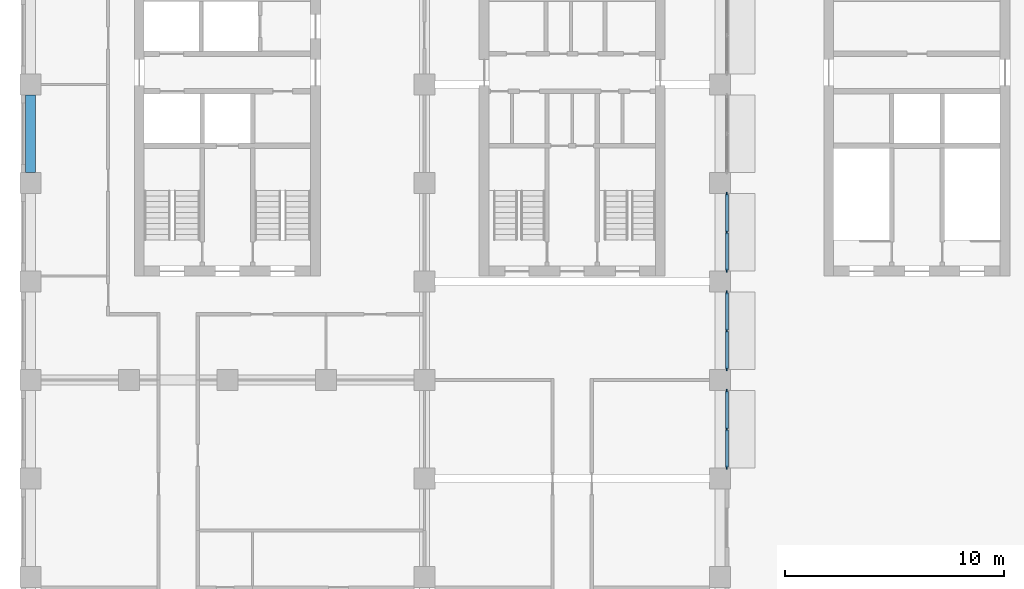
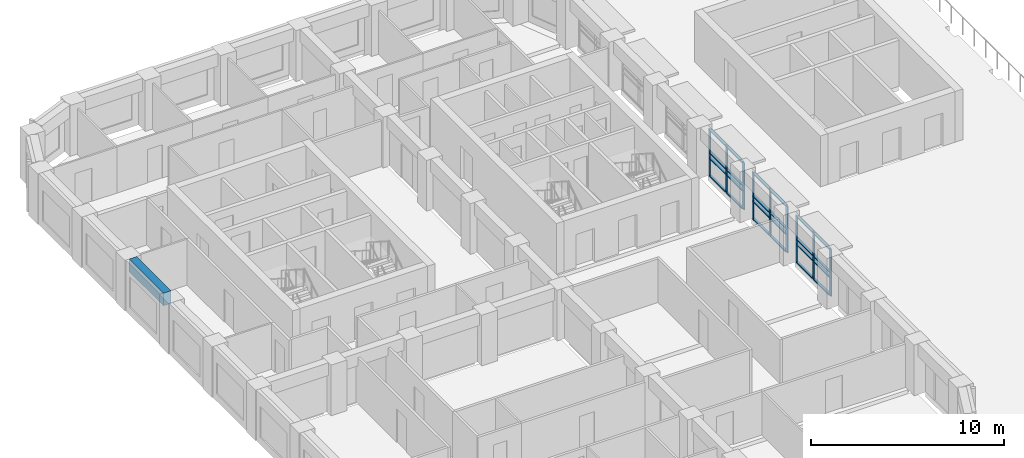
# One storey, part 2 of 15: 33 members, 1 beam, 3 elements without a shape of their own.
"""IFC4 building model written with IfcOpenShell, lengths in metres."""

from ifc_helpers import new_model, si_unit, direction, frame, origin, origin_2d, place, context, subcontext, project, spatial, rectangle, extrude, material, material_profile, profile_set, type_object, element, aggregate, save


model = new_model("IFC4")

# Units and contexts
model_context = context("Model", 3, precision=1e-05, world=origin(), true_north=direction((0.0, 1.0)))
body_context = subcontext(model_context, "Body", "Model", "MODEL_VIEW")
ifc_project = project(units=[si_unit("LENGTHUNIT", "METRE"), si_unit("AREAUNIT", "SQUARE_METRE"), si_unit("VOLUMEUNIT", "CUBIC_METRE"), si_unit("PLANEANGLEUNIT", "RADIAN"), si_unit("MASSUNIT", "GRAM", prefix="KILO")], contexts=[model_context])

# Site, building, storey
site_placement = place(None, origin())
site = spatial("IfcSite", under=ifc_project, at=site_placement, CompositionType="ELEMENT")
building_placement = place(site_placement, origin())
building = spatial("IfcBuilding", under=site, at=building_placement, Name="Girih Gate Residences", CompositionType="ELEMENT")
storey_placement = place(building_placement, frame((0.0, 0.0, 176.300048828125)))
storey = spatial("IfcBuildingStorey", under=building, at=storey_placement, Name="L48", CompositionType="ELEMENT", Elevation=176.300048828125)

# Curtain wall, members
ifc_material_1 = material(Name="Aluminium curtain wall frame", Category="aluminium")
curtain_wall_type = type_object("IfcCurtainWallType", Name="Curtain wall CW-3 sky lounge glazing", PredefinedType="NOTDEFINED", material=ifc_material_1)
curtain_wall_1_placement = place(storey_placement, origin())
curtain_wall_1 = element("IfcCurtainWall", 1, at=curtain_wall_1_placement, inside=storey, type_object=curtain_wall_type, Name="CW-3 Sky lounge glazing E0315_0045.3", PredefinedType="NOTDEFINED")
ifc_material_profile_1 = material_profile(ifc_material_1, rectangle(XDim=0.06005859375, YDim=0.179931640625, at=origin_2d()))
ifc_profile_set_1 = profile_set([ifc_material_profile_1], Name="Aluminium curtain wall frame")
member_type_1 = type_object("IfcMemberType", Name="Curtain wall mullion 60x180", PredefinedType="MULLION", material=ifc_profile_set_1)
member_1_placement = place(storey_placement, frame((31.81494140625, 18.5048828125, 0.0), z_axis=(0.0, 0.0, 1.0), x_axis=(-1.0, 0.0, 0.0)))
member_1 = element("IfcMember", 2, at=member_1_placement, type_object=member_type_1, Name="CW-3 mullion 1", PredefinedType="MULLION", context=body_context, shape_type="SweptSolid", body=[
    extrude(rectangle(XDim=0.06005859375, YDim=0.179931640625, at=origin_2d()), origin(), (0.0, 0.0, 1.0), 2.949951171875),
])
member_2_placement = place(storey_placement, frame((31.81494140625, 20.25, 0.0), z_axis=(0.0, 0.0, 1.0), x_axis=(-1.0, 0.0, 0.0)))
member_2 = element("IfcMember", 3, at=member_2_placement, type_object=member_type_1, Name="CW-3 mullion 2", PredefinedType="MULLION", context=body_context, shape_type="SweptSolid", body=[
    extrude(rectangle(XDim=0.06005859375, YDim=0.179931640625, at=origin_2d()), origin(), (0.0, 0.0, 1.0), 2.949951171875),
])
member_3_placement = place(storey_placement, frame((31.81494140625, 21.9951171875, 0.0), z_axis=(0.0, 0.0, 1.0), x_axis=(-1.0, 0.0, 0.0)))
member_3 = element("IfcMember", 4, at=member_3_placement, type_object=member_type_1, Name="CW-3 mullion 3", PredefinedType="MULLION", context=body_context, shape_type="SweptSolid", body=[
    extrude(rectangle(XDim=0.06005859375, YDim=0.179931640625, at=origin_2d()), origin(), (0.0, 0.0, 1.0), 2.949951171875),
])

curtain_wall_2_placement = place(storey_placement, origin())
curtain_wall_2 = element("IfcCurtainWall", 5, at=curtain_wall_2_placement, inside=storey, type_object=curtain_wall_type, Name="CW-3 Sky lounge glazing E0315_0045.4", PredefinedType="NOTDEFINED")
member_4_placement = place(storey_placement, frame((31.81494140625, 23.0048828125, 0.0), z_axis=(0.0, 0.0, 1.0), x_axis=(-1.0, 0.0, 0.0)))
member_4 = element("IfcMember", 6, at=member_4_placement, type_object=member_type_1, Name="CW-3 mullion 1", PredefinedType="MULLION", context=body_context, shape_type="SweptSolid", body=[
    extrude(rectangle(XDim=0.06005859375, YDim=0.179931640625, at=origin_2d()), origin(), (0.0, 0.0, 1.0), 2.949951171875),
])
member_5_placement = place(storey_placement, frame((31.81494140625, 24.75, 0.0), z_axis=(0.0, 0.0, 1.0), x_axis=(-1.0, 0.0, 0.0)))
member_5 = element("IfcMember", 7, at=member_5_placement, type_object=member_type_1, Name="CW-3 mullion 2", PredefinedType="MULLION", context=body_context, shape_type="SweptSolid", body=[
    extrude(rectangle(XDim=0.06005859375, YDim=0.179931640625, at=origin_2d()), origin(), (0.0, 0.0, 1.0), 2.949951171875),
])
member_6_placement = place(storey_placement, frame((31.81494140625, 26.4951171875, 0.0), z_axis=(0.0, 0.0, 1.0), x_axis=(-1.0, 0.0, 0.0)))
member_6 = element("IfcMember", 8, at=member_6_placement, type_object=member_type_1, Name="CW-3 mullion 3", PredefinedType="MULLION", context=body_context, shape_type="SweptSolid", body=[
    extrude(rectangle(XDim=0.06005859375, YDim=0.179931640625, at=origin_2d()), origin(), (0.0, 0.0, 1.0), 2.949951171875),
])

curtain_wall_3_placement = place(storey_placement, origin())
curtain_wall_3 = element("IfcCurtainWall", 9, at=curtain_wall_3_placement, inside=storey, type_object=curtain_wall_type, Name="CW-3 Sky lounge glazing E0315_0045.5", PredefinedType="NOTDEFINED")
member_7_placement = place(storey_placement, frame((31.81494140625, 27.5048828125, 0.0), z_axis=(0.0, 0.0, 1.0), x_axis=(-1.0, 0.0, 0.0)))
member_7 = element("IfcMember", 10, at=member_7_placement, type_object=member_type_1, Name="CW-3 mullion 1", PredefinedType="MULLION", context=body_context, shape_type="SweptSolid", body=[
    extrude(rectangle(XDim=0.06005859375, YDim=0.179931640625, at=origin_2d()), origin(), (0.0, 0.0, 1.0), 2.949951171875),
])
member_8_placement = place(storey_placement, frame((31.81494140625, 29.25, 0.0), z_axis=(0.0, 0.0, 1.0), x_axis=(-1.0, 0.0, 0.0)))
member_8 = element("IfcMember", 11, at=member_8_placement, type_object=member_type_1, Name="CW-3 mullion 2", PredefinedType="MULLION", context=body_context, shape_type="SweptSolid", body=[
    extrude(rectangle(XDim=0.06005859375, YDim=0.179931640625, at=origin_2d()), origin(), (0.0, 0.0, 1.0), 2.949951171875),
])
member_9_placement = place(storey_placement, frame((31.81494140625, 30.9951171875, 0.0), z_axis=(0.0, 0.0, 1.0), x_axis=(-1.0, 0.0, 0.0)))
member_9 = element("IfcMember", 12, at=member_9_placement, type_object=member_type_1, Name="CW-3 mullion 3", PredefinedType="MULLION", context=body_context, shape_type="SweptSolid", body=[
    extrude(rectangle(XDim=0.06005859375, YDim=0.179931640625, at=origin_2d()), origin(), (0.0, 0.0, 1.0), 2.949951171875),
])

# Member
ifc_material_profile_2 = material_profile(ifc_material_1, rectangle(XDim=0.139892578125, YDim=0.06005859375, at=origin_2d()))
ifc_profile_set_2 = profile_set([ifc_material_profile_2], Name="Aluminium curtain wall frame")
member_type_2 = type_object("IfcMemberType", Name="Curtain wall transom 60x140", PredefinedType="USERDEFINED", material=ifc_profile_set_2)
member_10_placement = place(storey_placement, frame((31.81494140625, 18.534912109375, 0.030029296875), z_axis=(0.0, 1.0, 0.0), x_axis=(-1.0, 0.0, 0.0)))
member_10 = element("IfcMember", 13, at=member_10_placement, type_object=member_type_2, Name="CW-3 transom 1.1", ObjectType="TRANSOM", PredefinedType="USERDEFINED", context=body_context, shape_type="SweptSolid", body=[
    extrude(rectangle(XDim=0.139892578125, YDim=0.06005859375, at=origin_2d()), origin(), (0.0, 0.0, 1.0), 1.68505859375),
])

member_11_placement = place(storey_placement, frame((31.81494140625, 18.534912109375, 1.14990234375), z_axis=(0.0, 1.0, 0.0), x_axis=(-1.0, 0.0, 0.0)))
member_11 = element("IfcMember", 14, at=member_11_placement, type_object=member_type_2, Name="CW-3 transom 1.2", ObjectType="TRANSOM", PredefinedType="USERDEFINED", context=body_context, shape_type="SweptSolid", body=[
    extrude(rectangle(XDim=0.139892578125, YDim=0.06005859375, at=origin_2d()), origin(), (0.0, 0.0, 1.0), 1.68505859375),
])

member_12_placement = place(storey_placement, frame((31.81494140625, 18.534912109375, 1.474853515625), z_axis=(0.0, 1.0, 0.0), x_axis=(-1.0, 0.0, 0.0)))
member_12 = element("IfcMember", 15, at=member_12_placement, type_object=member_type_2, Name="CW-3 transom 1.3", ObjectType="TRANSOM", PredefinedType="USERDEFINED", context=body_context, shape_type="SweptSolid", body=[
    extrude(rectangle(XDim=0.139892578125, YDim=0.06005859375, at=origin_2d()), origin(), (0.0, 0.0, 1.0), 1.68505859375),
])

member_13_placement = place(storey_placement, frame((31.81494140625, 18.534912109375, 2.919921875), z_axis=(0.0, 1.0, 0.0), x_axis=(-1.0, 0.0, 0.0)))
member_13 = element("IfcMember", 16, at=member_13_placement, type_object=member_type_2, Name="CW-3 transom 1.4", ObjectType="TRANSOM", PredefinedType="USERDEFINED", context=body_context, shape_type="SweptSolid", body=[
    extrude(rectangle(XDim=0.139892578125, YDim=0.06005859375, at=origin_2d()), origin(), (0.0, 0.0, 1.0), 1.68505859375),
])

member_14_placement = place(storey_placement, frame((31.81494140625, 20.280029296875, 0.030029296875), z_axis=(0.0, 1.0, 0.0), x_axis=(-1.0, 0.0, 0.0)))
member_14 = element("IfcMember", 17, at=member_14_placement, type_object=member_type_2, Name="CW-3 transom 2.1", ObjectType="TRANSOM", PredefinedType="USERDEFINED", context=body_context, shape_type="SweptSolid", body=[
    extrude(rectangle(XDim=0.139892578125, YDim=0.06005859375, at=origin_2d()), origin(), (0.0, 0.0, 1.0), 1.68505859375),
])

member_15_placement = place(storey_placement, frame((31.81494140625, 20.280029296875, 1.14990234375), z_axis=(0.0, 1.0, 0.0), x_axis=(-1.0, 0.0, 0.0)))
member_15 = element("IfcMember", 18, at=member_15_placement, type_object=member_type_2, Name="CW-3 transom 2.2", ObjectType="TRANSOM", PredefinedType="USERDEFINED", context=body_context, shape_type="SweptSolid", body=[
    extrude(rectangle(XDim=0.139892578125, YDim=0.06005859375, at=origin_2d()), origin(), (0.0, 0.0, 1.0), 1.68505859375),
])

member_16_placement = place(storey_placement, frame((31.81494140625, 20.280029296875, 1.474853515625), z_axis=(0.0, 1.0, 0.0), x_axis=(-1.0, 0.0, 0.0)))
member_16 = element("IfcMember", 19, at=member_16_placement, type_object=member_type_2, Name="CW-3 transom 2.3", ObjectType="TRANSOM", PredefinedType="USERDEFINED", context=body_context, shape_type="SweptSolid", body=[
    extrude(rectangle(XDim=0.139892578125, YDim=0.06005859375, at=origin_2d()), origin(), (0.0, 0.0, 1.0), 1.68505859375),
])

member_17_placement = place(storey_placement, frame((31.81494140625, 20.280029296875, 2.919921875), z_axis=(0.0, 1.0, 0.0), x_axis=(-1.0, 0.0, 0.0)))
member_17 = element("IfcMember", 20, at=member_17_placement, type_object=member_type_2, Name="CW-3 transom 2.4", ObjectType="TRANSOM", PredefinedType="USERDEFINED", context=body_context, shape_type="SweptSolid", body=[
    extrude(rectangle(XDim=0.139892578125, YDim=0.06005859375, at=origin_2d()), origin(), (0.0, 0.0, 1.0), 1.68505859375),
])

aggregate(curtain_wall_1, [member_1, member_2, member_3, member_10, member_11, member_12, member_13, member_14, member_15, member_16, member_17])

member_18_placement = place(storey_placement, frame((31.81494140625, 23.034912109375, 0.030029296875), z_axis=(0.0, 1.0, 0.0), x_axis=(-1.0, 0.0, 0.0)))
member_18 = element("IfcMember", 21, at=member_18_placement, type_object=member_type_2, Name="CW-3 transom 1.1", ObjectType="TRANSOM", PredefinedType="USERDEFINED", context=body_context, shape_type="SweptSolid", body=[
    extrude(rectangle(XDim=0.139892578125, YDim=0.06005859375, at=origin_2d()), origin(), (0.0, 0.0, 1.0), 1.68505859375),
])

member_19_placement = place(storey_placement, frame((31.81494140625, 23.034912109375, 1.14990234375), z_axis=(0.0, 1.0, 0.0), x_axis=(-1.0, 0.0, 0.0)))
member_19 = element("IfcMember", 22, at=member_19_placement, type_object=member_type_2, Name="CW-3 transom 1.2", ObjectType="TRANSOM", PredefinedType="USERDEFINED", context=body_context, shape_type="SweptSolid", body=[
    extrude(rectangle(XDim=0.139892578125, YDim=0.06005859375, at=origin_2d()), origin(), (0.0, 0.0, 1.0), 1.68505859375),
])

member_20_placement = place(storey_placement, frame((31.81494140625, 23.034912109375, 1.474853515625), z_axis=(0.0, 1.0, 0.0), x_axis=(-1.0, 0.0, 0.0)))
member_20 = element("IfcMember", 23, at=member_20_placement, type_object=member_type_2, Name="CW-3 transom 1.3", ObjectType="TRANSOM", PredefinedType="USERDEFINED", context=body_context, shape_type="SweptSolid", body=[
    extrude(rectangle(XDim=0.139892578125, YDim=0.06005859375, at=origin_2d()), origin(), (0.0, 0.0, 1.0), 1.68505859375),
])

member_21_placement = place(storey_placement, frame((31.81494140625, 23.034912109375, 2.919921875), z_axis=(0.0, 1.0, 0.0), x_axis=(-1.0, 0.0, 0.0)))
member_21 = element("IfcMember", 24, at=member_21_placement, type_object=member_type_2, Name="CW-3 transom 1.4", ObjectType="TRANSOM", PredefinedType="USERDEFINED", context=body_context, shape_type="SweptSolid", body=[
    extrude(rectangle(XDim=0.139892578125, YDim=0.06005859375, at=origin_2d()), origin(), (0.0, 0.0, 1.0), 1.68505859375),
])

member_22_placement = place(storey_placement, frame((31.81494140625, 24.780029296875, 0.030029296875), z_axis=(0.0, 1.0, 0.0), x_axis=(-1.0, 0.0, 0.0)))
member_22 = element("IfcMember", 25, at=member_22_placement, type_object=member_type_2, Name="CW-3 transom 2.1", ObjectType="TRANSOM", PredefinedType="USERDEFINED", context=body_context, shape_type="SweptSolid", body=[
    extrude(rectangle(XDim=0.139892578125, YDim=0.06005859375, at=origin_2d()), origin(), (0.0, 0.0, 1.0), 1.68505859375),
])

member_23_placement = place(storey_placement, frame((31.81494140625, 24.780029296875, 1.14990234375), z_axis=(0.0, 1.0, 0.0), x_axis=(-1.0, 0.0, 0.0)))
member_23 = element("IfcMember", 26, at=member_23_placement, type_object=member_type_2, Name="CW-3 transom 2.2", ObjectType="TRANSOM", PredefinedType="USERDEFINED", context=body_context, shape_type="SweptSolid", body=[
    extrude(rectangle(XDim=0.139892578125, YDim=0.06005859375, at=origin_2d()), origin(), (0.0, 0.0, 1.0), 1.68505859375),
])

member_24_placement = place(storey_placement, frame((31.81494140625, 24.780029296875, 1.474853515625), z_axis=(0.0, 1.0, 0.0), x_axis=(-1.0, 0.0, 0.0)))
member_24 = element("IfcMember", 27, at=member_24_placement, type_object=member_type_2, Name="CW-3 transom 2.3", ObjectType="TRANSOM", PredefinedType="USERDEFINED", context=body_context, shape_type="SweptSolid", body=[
    extrude(rectangle(XDim=0.139892578125, YDim=0.06005859375, at=origin_2d()), origin(), (0.0, 0.0, 1.0), 1.68505859375),
])

member_25_placement = place(storey_placement, frame((31.81494140625, 24.780029296875, 2.919921875), z_axis=(0.0, 1.0, 0.0), x_axis=(-1.0, 0.0, 0.0)))
member_25 = element("IfcMember", 28, at=member_25_placement, type_object=member_type_2, Name="CW-3 transom 2.4", ObjectType="TRANSOM", PredefinedType="USERDEFINED", context=body_context, shape_type="SweptSolid", body=[
    extrude(rectangle(XDim=0.139892578125, YDim=0.06005859375, at=origin_2d()), origin(), (0.0, 0.0, 1.0), 1.68505859375),
])

aggregate(curtain_wall_2, [member_4, member_5, member_6, member_18, member_19, member_20, member_21, member_22, member_23, member_24, member_25])

member_26_placement = place(storey_placement, frame((31.81494140625, 27.534912109375, 0.030029296875), z_axis=(0.0, 1.0, 0.0), x_axis=(-1.0, 0.0, 0.0)))
member_26 = element("IfcMember", 29, at=member_26_placement, type_object=member_type_2, Name="CW-3 transom 1.1", ObjectType="TRANSOM", PredefinedType="USERDEFINED", context=body_context, shape_type="SweptSolid", body=[
    extrude(rectangle(XDim=0.139892578125, YDim=0.06005859375, at=origin_2d()), origin(), (0.0, 0.0, 1.0), 1.68505859375),
])

member_27_placement = place(storey_placement, frame((31.81494140625, 27.534912109375, 1.14990234375), z_axis=(0.0, 1.0, 0.0), x_axis=(-1.0, 0.0, 0.0)))
member_27 = element("IfcMember", 30, at=member_27_placement, type_object=member_type_2, Name="CW-3 transom 1.2", ObjectType="TRANSOM", PredefinedType="USERDEFINED", context=body_context, shape_type="SweptSolid", body=[
    extrude(rectangle(XDim=0.139892578125, YDim=0.06005859375, at=origin_2d()), origin(), (0.0, 0.0, 1.0), 1.68505859375),
])

member_28_placement = place(storey_placement, frame((31.81494140625, 27.534912109375, 1.474853515625), z_axis=(0.0, 1.0, 0.0), x_axis=(-1.0, 0.0, 0.0)))
member_28 = element("IfcMember", 31, at=member_28_placement, type_object=member_type_2, Name="CW-3 transom 1.3", ObjectType="TRANSOM", PredefinedType="USERDEFINED", context=body_context, shape_type="SweptSolid", body=[
    extrude(rectangle(XDim=0.139892578125, YDim=0.06005859375, at=origin_2d()), origin(), (0.0, 0.0, 1.0), 1.68505859375),
])

member_29_placement = place(storey_placement, frame((31.81494140625, 27.534912109375, 2.919921875), z_axis=(0.0, 1.0, 0.0), x_axis=(-1.0, 0.0, 0.0)))
member_29 = element("IfcMember", 32, at=member_29_placement, type_object=member_type_2, Name="CW-3 transom 1.4", ObjectType="TRANSOM", PredefinedType="USERDEFINED", context=body_context, shape_type="SweptSolid", body=[
    extrude(rectangle(XDim=0.139892578125, YDim=0.06005859375, at=origin_2d()), origin(), (0.0, 0.0, 1.0), 1.68505859375),
])

member_30_placement = place(storey_placement, frame((31.81494140625, 29.280029296875, 0.030029296875), z_axis=(0.0, 1.0, 0.0), x_axis=(-1.0, 0.0, 0.0)))
member_30 = element("IfcMember", 33, at=member_30_placement, type_object=member_type_2, Name="CW-3 transom 2.1", ObjectType="TRANSOM", PredefinedType="USERDEFINED", context=body_context, shape_type="SweptSolid", body=[
    extrude(rectangle(XDim=0.139892578125, YDim=0.06005859375, at=origin_2d()), origin(), (0.0, 0.0, 1.0), 1.68505859375),
])

member_31_placement = place(storey_placement, frame((31.81494140625, 29.280029296875, 1.14990234375), z_axis=(0.0, 1.0, 0.0), x_axis=(-1.0, 0.0, 0.0)))
member_31 = element("IfcMember", 34, at=member_31_placement, type_object=member_type_2, Name="CW-3 transom 2.2", ObjectType="TRANSOM", PredefinedType="USERDEFINED", context=body_context, shape_type="SweptSolid", body=[
    extrude(rectangle(XDim=0.139892578125, YDim=0.06005859375, at=origin_2d()), origin(), (0.0, 0.0, 1.0), 1.68505859375),
])

member_32_placement = place(storey_placement, frame((31.81494140625, 29.280029296875, 1.474853515625), z_axis=(0.0, 1.0, 0.0), x_axis=(-1.0, 0.0, 0.0)))
member_32 = element("IfcMember", 35, at=member_32_placement, type_object=member_type_2, Name="CW-3 transom 2.3", ObjectType="TRANSOM", PredefinedType="USERDEFINED", context=body_context, shape_type="SweptSolid", body=[
    extrude(rectangle(XDim=0.139892578125, YDim=0.06005859375, at=origin_2d()), origin(), (0.0, 0.0, 1.0), 1.68505859375),
])

member_33_placement = place(storey_placement, frame((31.81494140625, 29.280029296875, 2.919921875), z_axis=(0.0, 1.0, 0.0), x_axis=(-1.0, 0.0, 0.0)))
member_33 = element("IfcMember", 36, at=member_33_placement, type_object=member_type_2, Name="CW-3 transom 2.4", ObjectType="TRANSOM", PredefinedType="USERDEFINED", context=body_context, shape_type="SweptSolid", body=[
    extrude(rectangle(XDim=0.139892578125, YDim=0.06005859375, at=origin_2d()), origin(), (0.0, 0.0, 1.0), 1.68505859375),
])

aggregate(curtain_wall_3, [member_7, member_8, member_9, member_26, member_27, member_28, member_29, member_30, member_31, member_32, member_33])

# Beam
ifc_material_2 = material(Name="Concrete C60/75", Category="concrete")
ifc_material_profile_3 = material_profile(ifc_material_2, rectangle(XDim=0.449951171875, YDim=0.800048828125, at=origin_2d()))
ifc_profile_set_3 = profile_set([ifc_material_profile_3], Name="Concrete C60/75")
beam_type = type_object("IfcBeamType", Name="Spandrel girder RC 450x800 Concrete C60/75", PredefinedType="BEAM", material=ifc_profile_set_3)
beam_placement = place(storey_placement, frame((0.0, 35.52490234375, 2.800048828125), z_axis=(0.0, -1.0, 0.0), x_axis=(1.0, 0.0, 0.0)))
element("IfcBeam", 37, at=beam_placement, inside=storey, type_object=beam_type, Name="Spandrel girder SP-P1I-P1H L48", PredefinedType="BEAM", context=body_context, shape_type="SweptSolid", body=[
    extrude(rectangle(XDim=0.449951171875, YDim=0.800048828125, at=origin_2d()), origin(), (0.0, 0.0, 1.0), 3.5498046875),
])

save(model, "model.ifc")
